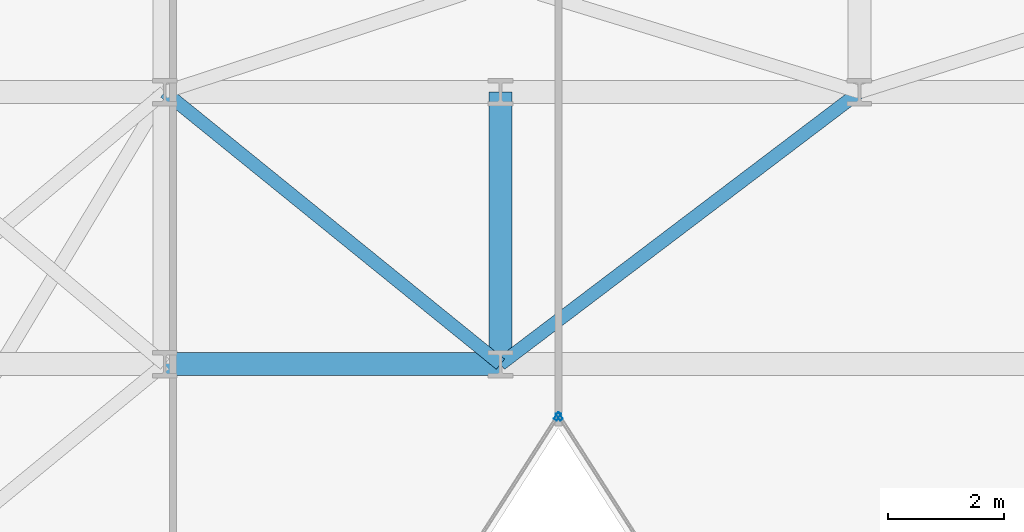
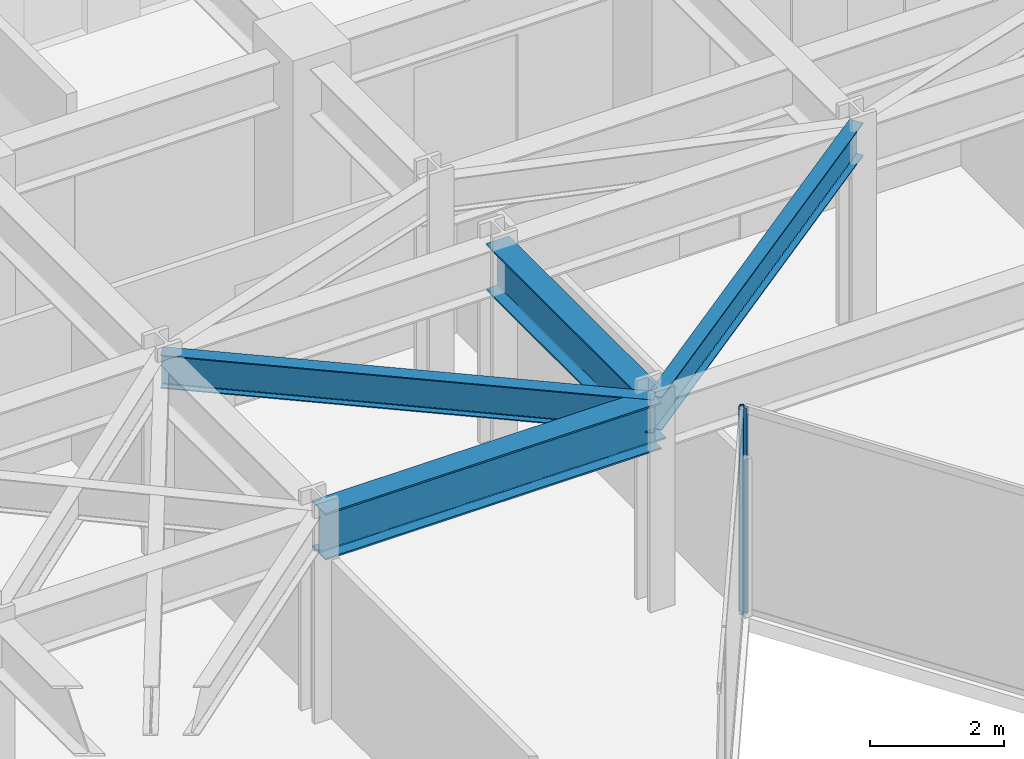
# One storey, part 13 of 26: 4 beams, 2 members, 2 elements without a shape of their own.
"""IFC4 building model written with IfcOpenShell, lengths in metres."""

from ifc_helpers import new_model, si_unit, direction, frame, origin, origin_2d, place, context, subcontext, project, spatial, hollow_rectangle, i_section, extrude, material, layer, layer_set, material_profile, profile_set, type_object, element, aggregate, save


model = new_model("IFC4")

# Units and contexts
model_context = context("Model", 3, precision=1e-05, world=origin(), true_north=direction((0.0, 1.0)))
body_context = subcontext(model_context, "Body", "Model", "MODEL_VIEW")
ifc_project = project(units=[si_unit("LENGTHUNIT", "METRE"), si_unit("AREAUNIT", "SQUARE_METRE"), si_unit("VOLUMEUNIT", "CUBIC_METRE"), si_unit("PLANEANGLEUNIT", "RADIAN"), si_unit("MASSUNIT", "GRAM", prefix="KILO")], contexts=[model_context])

# Site, building, storey
site_placement = place(None, origin())
site = spatial("IfcSite", under=ifc_project, at=site_placement, CompositionType="ELEMENT")
building_placement = place(site_placement, origin())
building = spatial("IfcBuilding", under=site, at=building_placement, Name="Kravanh Interchange Tower", CompositionType="ELEMENT")
storey_placement = place(building_placement, frame((0.0, 0.0, 116.0)))
storey = spatial("IfcBuildingStorey", under=building, at=storey_placement, Name="L27", CompositionType="ELEMENT", Elevation=116.0)

# Curtain wall, member
ifc_material_1 = material(Name="Anodised Bronze Aluminium", Category="aluminium")
ifc_layer = layer(ifc_material_1, 0.179931640625)
ifc_layer_set = layer_set([ifc_layer], Name="Unitised Curtain Wall System CW-Z2 Mid Office")
curtain_wall_type = type_object("IfcCurtainWallType", Name="Unitised Curtain Wall System CW-Z2 Mid Office", PredefinedType="NOTDEFINED", material=ifc_layer_set)
curtain_wall_1_placement = place(storey_placement, origin())
curtain_wall_1 = element("IfcCurtainWall", 1, at=curtain_wall_1_placement, inside=storey, type_object=curtain_wall_type, Name="L27 Unitised Curtain Wall CW-L27-04", PredefinedType="NOTDEFINED")
ifc_material_2 = material(Name="Anodised Bronze Aluminium", Category="aluminium")
ifc_material_profile_1 = material_profile(ifc_material_2, hollow_rectangle(XDim=0.06005859375, YDim=0.139892578125, WallThickness=0.00390625, at=origin_2d()), Name="ALU60X140X4")
ifc_profile_set_1 = profile_set([ifc_material_profile_1], Name="Anodised Bronze Aluminium")
member_type = type_object("IfcMemberType", Name="Curtain Wall Mullion ALU60X140X4 Bronze", PredefinedType="MULLION", material=ifc_profile_set_1)
member_1_placement = place(storey_placement, frame((39.6162109375, 25.897216796875, 0.0), z_axis=(0.0, 0.0, 1.0), x_axis=(-0.841879939476, -0.539664865919, 0.0)))
member_1 = element("IfcMember", 2, at=member_1_placement, type_object=member_type, Name="CW-Z2 mullion 5", PredefinedType="MULLION", context=body_context, shape_type="SweptSolid", body=[
    extrude(hollow_rectangle(XDim=0.06005859375, YDim=0.139892578125, WallThickness=0.00390625, at=origin_2d()), origin(), (0.0, 0.0, 1.0), 3.75),
])
aggregate(curtain_wall_1, [member_1])

curtain_wall_2_placement = place(storey_placement, origin())
curtain_wall_2 = element("IfcCurtainWall", 3, at=curtain_wall_2_placement, inside=storey, type_object=curtain_wall_type, Name="L27 Unitised Curtain Wall CW-L27-05", PredefinedType="NOTDEFINED")
member_2_placement = place(storey_placement, frame((39.583740234375, 25.897216796875, 0.0), z_axis=(0.0, 0.0, 1.0), x_axis=(0.841879939476, -0.539664865919, 0.0)))
member_2 = element("IfcMember", 4, at=member_2_placement, type_object=member_type, Name="CW-Z2 mullion 1", PredefinedType="MULLION", context=body_context, shape_type="SweptSolid", body=[
    extrude(hollow_rectangle(XDim=0.06005859375, YDim=0.139892578125, WallThickness=0.00390625, at=origin_2d()), origin(), (0.0, 0.0, 1.0), 3.75),
])
aggregate(curtain_wall_2, [member_2])

# Beams
ifc_material_3 = material(Name="Structural Steel S355", Category="steel")
ifc_material_profile_2 = material_profile(ifc_material_3, i_section(OverallWidth=0.39990234375, OverallDepth=0.85595703125, WebThickness=0.018310546875, FlangeThickness=0.029296875, FilletRadius=0.02490234375, at=origin_2d()), Name="W33X201")
ifc_profile_set_2 = profile_set([ifc_material_profile_2], Name="Structural Steel S355")
beam_type_1 = type_object("IfcBeamType", Name="Floor Beam W33X201 Structural Steel S355", PredefinedType="BEAM", material=ifc_profile_set_2)
beam_1_placement = place(storey_placement, frame((32.800048828125, 26.800048828125, 3.322021484375), z_axis=(1.0, 0.0, 0.0), x_axis=(0.0, 1.0, 0.0)))
element("IfcBeam", 5, at=beam_1_placement, inside=storey, type_object=beam_type_1, Name="L27 Primary Floor Girder 50", PredefinedType="BEAM", context=body_context, shape_type="SweptSolid", body=[
    extrude(i_section(OverallWidth=0.39990234375, OverallDepth=0.85595703125, WebThickness=0.018310546875, FlangeThickness=0.029296875, FilletRadius=0.02490234375, at=origin_2d()), origin(), (0.0, 0.0, 1.0), 5.800048828125),
])
beam_2_placement = place(storey_placement, frame((38.60009765625, 26.800048828125, 3.322021484375), z_axis=(0.0, 1.0, 0.0), x_axis=(-1.0, 0.0, 0.0)))
element("IfcBeam", 6, at=beam_2_placement, inside=storey, type_object=beam_type_1, Name="L27 Primary Floor Girder 53", PredefinedType="BEAM", context=body_context, shape_type="SweptSolid", body=[
    extrude(i_section(OverallWidth=0.39990234375, OverallDepth=0.85595703125, WebThickness=0.018310546875, FlangeThickness=0.029296875, FilletRadius=0.02490234375, at=origin_2d()), origin(), (0.0, 0.0, 1.0), 4.699951171875),
])
ifc_material_4 = material(Name="Structural Steel S355", Category="steel")
ifc_material_profile_3 = material_profile(ifc_material_4, i_section(OverallWidth=0.22802734375, OverallDepth=0.60791015625, WebThickness=0.01123046875, FlangeThickness=0.017333984375, FilletRadius=0.02197265625, at=origin_2d()), Name="W24X76")
ifc_profile_set_3 = profile_set([ifc_material_profile_3], Name="Structural Steel S355")
beam_type_2 = type_object("IfcBeamType", Name="Floor Spandrel W24X76 Structural Steel S355", PredefinedType="SPANDREL", material=ifc_profile_set_3)
beam_3_placement = place(storey_placement, frame((38.60009765625, 26.800048828125, 3.446044921875), z_axis=(-0.776938619557, 0.629576350764, 0.0), x_axis=(-0.629576350764, -0.776938619557, 0.0)))
element("IfcBeam", 7, at=beam_3_placement, inside=storey, type_object=beam_type_2, Name="L27 Perimeter Spandrel 54", PredefinedType="SPANDREL", context=body_context, shape_type="SweptSolid", body=[
    extrude(i_section(OverallWidth=0.22802734375, OverallDepth=0.60791015625, WebThickness=0.01123046875, FlangeThickness=0.017333984375, FilletRadius=0.02197265625, at=origin_2d()), origin(), (0.0, 0.0, 1.0), 7.46533203125),
])
beam_4_placement = place(storey_placement, frame((38.60009765625, 26.800048828125, 3.446044921875), z_axis=(0.796905365509, 0.604104161898, 0.0), x_axis=(-0.604104161898, 0.796905365509, 0.0)))
element("IfcBeam", 8, at=beam_4_placement, inside=storey, type_object=beam_type_2, Name="L27 Perimeter Spandrel 55", PredefinedType="SPANDREL", context=body_context, shape_type="SweptSolid", body=[
    extrude(i_section(OverallWidth=0.22802734375, OverallDepth=0.60791015625, WebThickness=0.01123046875, FlangeThickness=0.017333984375, FilletRadius=0.02197265625, at=origin_2d()), origin(), (0.0, 0.0, 1.0), 7.780029296875),
])

save(model, "model.ifc")
